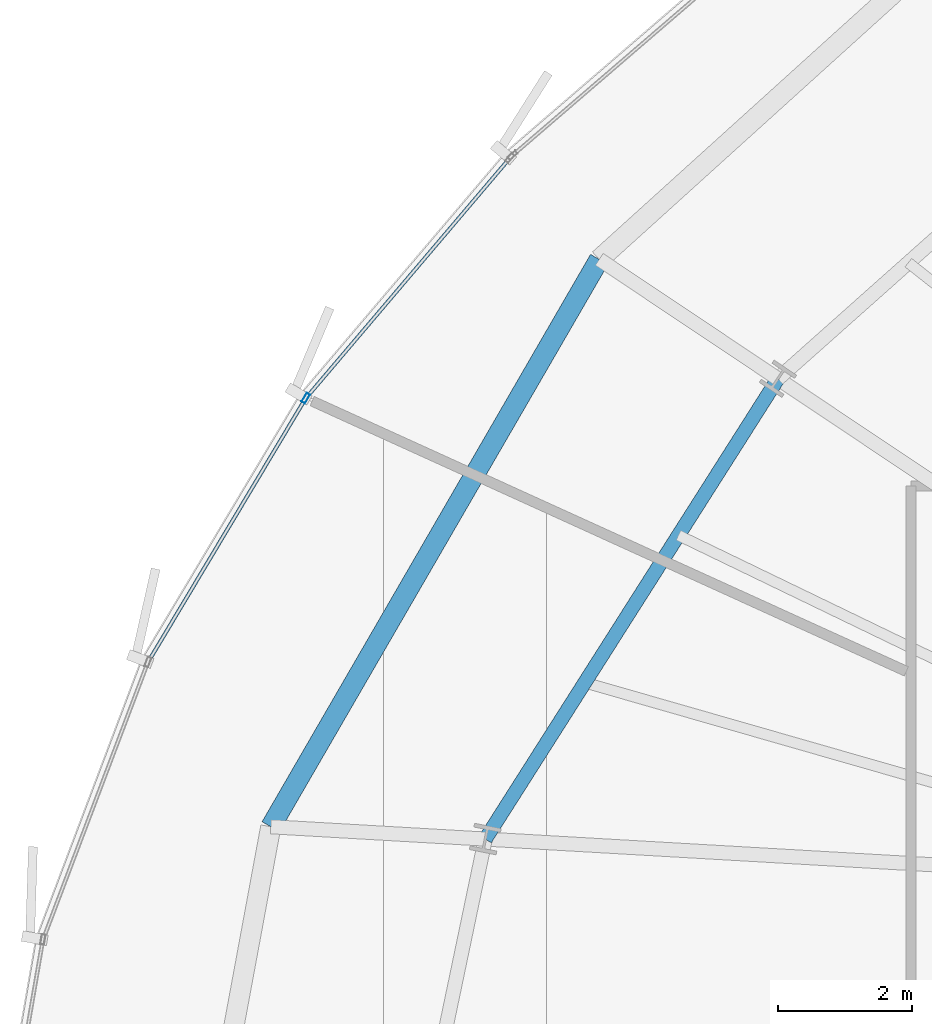
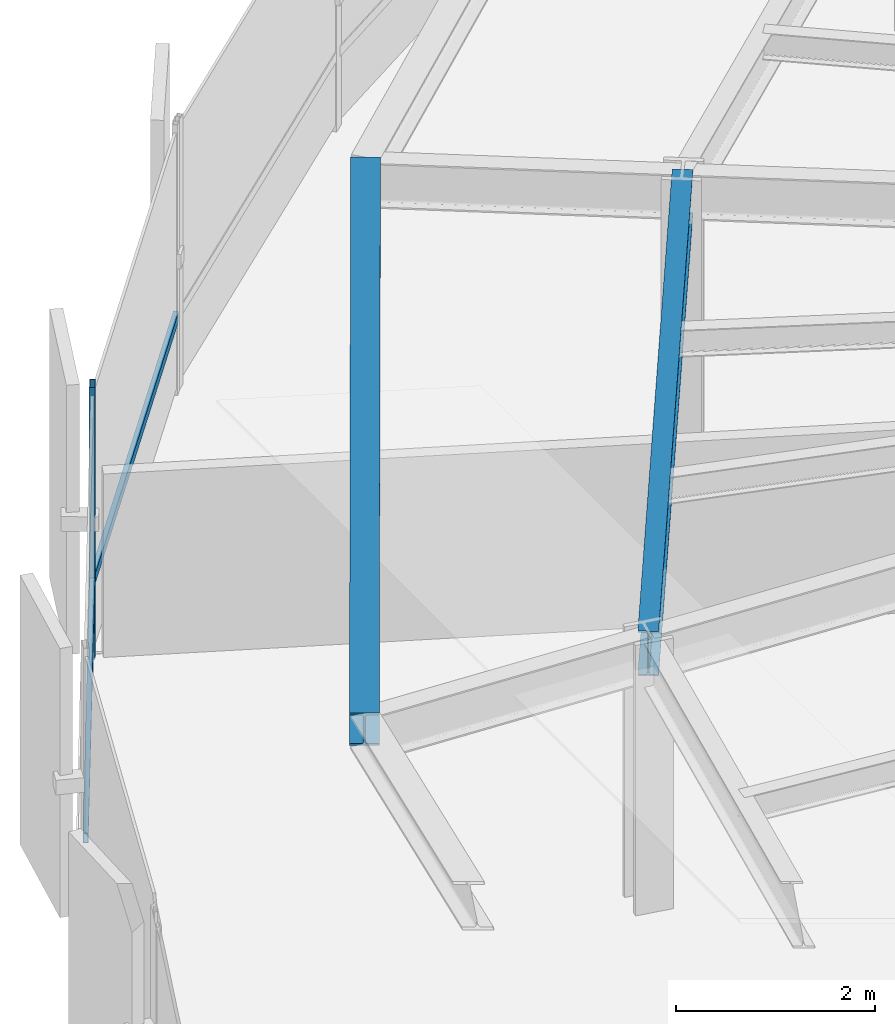
# One storey, part 17 of 33: 3 members, 2 beams, 1 element without a shape of its own.
"""IFC4 building model written with IfcOpenShell, lengths in metres."""

from ifc_helpers import new_model, si_unit, direction, frame, origin, origin_2d, place, context, subcontext, project, spatial, hollow_rectangle, i_section, extrude, source, transform, mapped, material, layer, layer_set, material_profile, profile_set, type_object, element, aggregate, save


model = new_model("IFC4")

# Units and contexts
model_context = context("Model", 3, precision=1e-05, world=origin(), true_north=direction((0.0, 1.0)))
body_context = subcontext(model_context, "Body", "Model", "MODEL_VIEW")
ifc_project = project(units=[si_unit("LENGTHUNIT", "METRE"), si_unit("AREAUNIT", "SQUARE_METRE"), si_unit("VOLUMEUNIT", "CUBIC_METRE"), si_unit("PLANEANGLEUNIT", "RADIAN"), si_unit("MASSUNIT", "GRAM", prefix="KILO"), si_unit("THERMODYNAMICTEMPERATUREUNIT", "KELVIN")], contexts=[model_context])

# Site, building, storey
site_placement = place(None, origin())
site = spatial("IfcSite", under=ifc_project, at=site_placement, CompositionType="ELEMENT")
building_placement = place(site_placement, origin())
building = spatial("IfcBuilding", under=site, at=building_placement, Name="Kethvar Cultural Tower", CompositionType="ELEMENT")
storey_placement = place(building_placement, frame((0.0, 0.0, 114.39990234375)))
storey = spatial("IfcBuildingStorey", under=building, at=storey_placement, Name="L28", CompositionType="ELEMENT", Elevation=114.39990234375)

# Beams
ifc_material_1 = material(Name="Steel S355J2", Category="steel")
ifc_material_profile_1 = material_profile(ifc_material_1, i_section(OverallWidth=0.2099609375, OverallDepth=0.550048828125, WebThickness=0.010986328125, FlangeThickness=0.01708984375, FilletRadius=0.02392578125, at=origin_2d()), Name="Steel S355J2 — IPE550")
ifc_profile_set_1 = profile_set([ifc_material_profile_1], Name="Steel S355J2 — IPE550")
beam_type_1 = type_object("IfcBeamType", Name="BM-IPE550", PredefinedType="BEAM", material=ifc_profile_set_1)
shared_shape_1 = source(origin(), body_context, "Body", "SweptSolid", [
    extrude(i_section(OverallWidth=0.2099609375, OverallDepth=0.550048828125, WebThickness=0.010986328125, FlangeThickness=0.01708984375, FilletRadius=0.02392578125, at=origin_2d()), origin(), (0.0, 0.0, 1.0), 8.122314453125),
])
beam_1_placement = place(storey_placement, frame((30.345947265625, 38.794189453125, 3.072998046875), z_axis=(-0.536478664647, -0.843913883272, 0.0), x_axis=(0.843913883272, -0.536478664647, 0.0)))
element("IfcBeam", 1, at=beam_1_placement, inside=storey, type_object=beam_type_1, Name="L28 Column Ring Tie Beam CR-07", PredefinedType="BEAM", context=body_context, shape_type="MappedRepresentation", body=[
    mapped(shared_shape_1, transform((0.0, 0.0, 0.0), scale=1.0)),
])
ifc_material_profile_2 = material_profile(ifc_material_1, i_section(OverallWidth=0.300048828125, OverallDepth=0.39990234375, WebThickness=0.013427734375, FlangeThickness=0.02392578125, FilletRadius=0.027099609375, at=origin_2d()), Name="Steel S355J2 — HEB400")
ifc_profile_set_2 = profile_set([ifc_material_profile_2], Name="Steel S355J2 — HEB400")
beam_type_2 = type_object("IfcBeamType", Name="BM-SP400", PredefinedType="SPANDREL", material=ifc_profile_set_2)
shared_shape_2 = source(origin(), body_context, "Body", "SweptSolid", [
    extrude(i_section(OverallWidth=0.300048828125, OverallDepth=0.39990234375, WebThickness=0.013427734375, FlangeThickness=0.02392578125, FilletRadius=0.027099609375, at=origin_2d()), origin(), (0.0, 0.0, 1.0), 9.762939453125),
])
beam_2_placement = place(storey_placement, frame((27.685302734375, 40.572021484375, 3.148193359375), z_axis=(-0.501043170838, -0.865422290536, 0.0), x_axis=(0.865422290536, -0.501043170838, 0.0)))
element("IfcBeam", 2, at=beam_2_placement, inside=storey, type_object=beam_type_2, Name="L28 Perimeter Spandrel Beam SP-07", PredefinedType="SPANDREL", context=body_context, shape_type="MappedRepresentation", body=[
    mapped(shared_shape_2, transform((0.0, 0.0, 0.0), scale=1.0)),
])

# Curtain wall, members
ifc_material_2 = material(Name="Aluminium 6063-T6", Category="aluminium")
ifc_layer = layer(ifc_material_2, 0.179931640625, Name="Aluminium 6063-T6", Category="aluminium")
ifc_layer_set = layer_set([ifc_layer], Name="Aluminium 6063-T6 (180 mm)")
curtain_wall_type = type_object("IfcCurtainWallType", Name="CW-SYS-03-Z2", PredefinedType="NOTDEFINED", material=ifc_layer_set)
curtain_wall_placement = place(storey_placement, origin())
curtain_wall = element("IfcCurtainWall", 3, at=curtain_wall_placement, inside=storey, type_object=curtain_wall_type, Name="L28 Curtain Wall Run 03", PredefinedType="NOTDEFINED")
ifc_material_profile_3 = material_profile(ifc_material_2, hollow_rectangle(XDim=0.06005859375, YDim=0.14990234375, WallThickness=0.0048828125, at=origin_2d()), Name="Aluminium 6063-T6 — RHS150x60x5")
ifc_profile_set_3 = profile_set([ifc_material_profile_3], Name="Aluminium 6063-T6 — RHS150x60x5")
member_type_1 = type_object("IfcMemberType", Name="CW-SYS-03-Z2-MUL", PredefinedType="MULLION", material=ifc_profile_set_3)
shared_shape_3 = source(origin(), body_context, "Body", "SweptSolid", [
    extrude(hollow_rectangle(XDim=0.06005859375, YDim=0.14990234375, WallThickness=0.0048828125, at=origin_2d()), origin(), (0.0, 0.0, 1.0), 3.35009765625),
])
member_1_placement = place(storey_placement, frame((23.314697265625, 38.505126953125, 0.0), z_axis=(0.0, 0.0, 1.0), x_axis=(0.858459024038, -0.512882154152, 0.0)))
member_1 = element("IfcMember", 4, at=member_1_placement, type_object=member_type_1, Name="CW-L28-R03 Mullion 2", PredefinedType="MULLION", context=body_context, shape_type="MappedRepresentation", body=[
    mapped(shared_shape_3, transform((0.0, 0.0, 0.0), scale=1.0)),
])
ifc_material_profile_4 = material_profile(ifc_material_2, hollow_rectangle(XDim=0.054931640625, YDim=0.1201171875, WallThickness=0.00390625, at=origin_2d()), Name="Aluminium 6063-T6 — RHS120x55x4")
ifc_profile_set_4 = profile_set([ifc_material_profile_4], Name="Aluminium 6063-T6 — RHS120x55x4")
member_type_2 = type_object("IfcMemberType", Name="CW-SYS-03-Z2-TRN", PredefinedType="USERDEFINED", material=ifc_profile_set_4)
shared_shape_4 = source(origin(), body_context, "Body", "SweptSolid", [
    extrude(hollow_rectangle(XDim=0.054931640625, YDim=0.1201171875, WallThickness=0.00390625, at=origin_2d()), origin(), (0.0, 0.0, 1.0), 4.6630859375),
])
member_2_placement = place(storey_placement, frame((26.350341796875, 42.07666015625, 0.9501953125), z_axis=(-0.647391538736, -0.762157592348, 0.0), x_axis=(0.762157592348, -0.647391538736, 0.0)))
member_2 = element("IfcMember", 5, at=member_2_placement, type_object=member_type_2, Name="CW-L28-R03 Transom 1", ObjectType="TRANSOM", PredefinedType="USERDEFINED", context=body_context, shape_type="MappedRepresentation", body=[
    mapped(shared_shape_4, transform((0.0, 0.0, 0.0), scale=1.0)),
])
shared_shape_5 = source(origin(), body_context, "Body", "SweptSolid", [
    extrude(hollow_rectangle(XDim=0.054931640625, YDim=0.1201171875, WallThickness=0.00390625, at=origin_2d()), origin(), (0.0, 0.0, 1.0), 4.511474609375),
])
member_3_placement = place(storey_placement, frame((23.29248046875, 38.468017578125, 0.9501953125), z_axis=(-0.512847482959, -0.858479737223, 0.0), x_axis=(0.858479737223, -0.512847482959, 0.0)))
member_3 = element("IfcMember", 6, at=member_3_placement, type_object=member_type_2, Name="CW-L28-R03 Transom 2", ObjectType="TRANSOM", PredefinedType="USERDEFINED", context=body_context, shape_type="MappedRepresentation", body=[
    mapped(shared_shape_5, transform((0.0, 0.0, 0.0), scale=1.0)),
])
aggregate(curtain_wall, [member_1, member_2, member_3])

save(model, "model.ifc")
